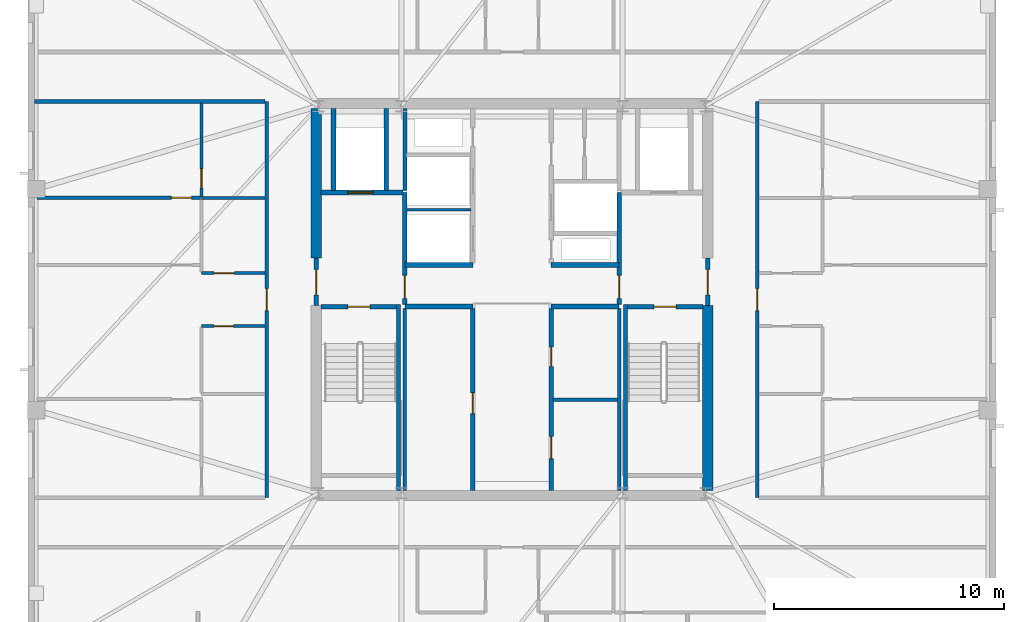
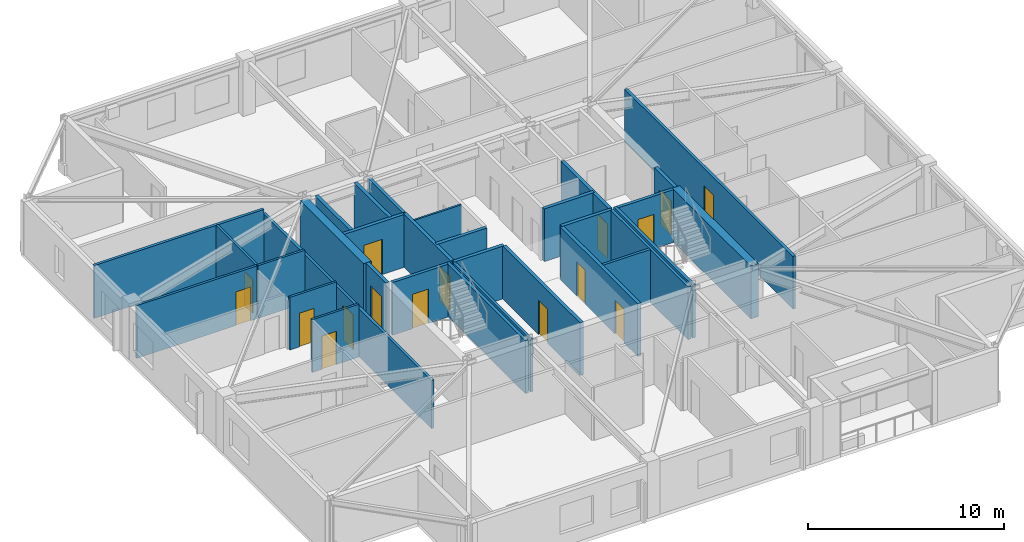
# One storey, part 8 of 15: 32 walls, 16 doors, 16 openings.
"""IFC4 building model written with IfcOpenShell, lengths in metres."""

import ifcopenshell
import ifcopenshell.guid

model = None  # the IFC model being written
_history = None  # IfcOwnerHistory: only IFC2X3 demands one
_inside = {}  # id of a spatial element -> (the spatial element, [elements in it])
_under = {}  # id of a project, library or spatial element -> (it, [spatial elements below it])
_declared = {}  # id of a project -> (the project, [libraries it declares])
_typed = {}  # id of a type object -> (the type object, [elements of that type])
_made_of = {}  # id of a material, layer set ... -> (it, [elements and type objects made of it])


def new_model(schema):
    """Start an empty IFC model of exactly this schema.

    Asked for "IFC4X3", IfcOpenShell would pick the latest addendum, in which some entities
    have other attributes; the version numbers below select the first issue.
    IFC2X3 requires an IfcOwnerHistory on every rooted entity: one is made here for all.
    """
    global model, _history
    if schema == "IFC4X3":
        model = ifcopenshell.file(schema_version=(4, 3, 0, 0))
    else:
        model = ifcopenshell.file(schema=schema)
    _inside.clear()
    _under.clear()
    _declared.clear()
    _typed.clear()
    _made_of.clear()
    _history = None
    if model.schema == "IFC2X3":
        org = make("IfcOrganization", Name="unknown")
        user = make(
            "IfcPersonAndOrganization",
            ThePerson=make("IfcPerson", FamilyName="unknown"),
            TheOrganization=org,
        )
        app = make(
            "IfcApplication",
            ApplicationDeveloper=org,
            Version="unknown",
            ApplicationFullName="unknown",
            ApplicationIdentifier="unknown",
        )
        _history = make(
            "IfcOwnerHistory",
            OwningUser=user,
            OwningApplication=app,
            ChangeAction="ADDED",
            CreationDate=0,
        )
    return model


def make(cls, **values):
    """One entity of the class cls with the attributes given. An attribute that is None is left unset."""
    return model.create_entity(
        cls, **{name: value for name, value in values.items() if value is not None}
    )


def rooted(cls, **values):
    """An entity with a GlobalId (a new one), such as an element, a storey or a relation."""
    return make(cls, GlobalId=ifcopenshell.guid.new(), OwnerHistory=_history, **values)


def si_unit(unit_type, name, prefix=None):
    """IfcSIUnit, for example si_unit("LENGTHUNIT", "METRE", prefix="MILLI")."""
    return make("IfcSIUnit", UnitType=unit_type, Prefix=prefix, Name=name)


def assignment(units):
    """IfcUnitAssignment: the units of a project."""
    return None if units is None else make("IfcUnitAssignment", Units=units)


def point(xyz):
    """IfcCartesianPoint."""
    return None if xyz is None else make("IfcCartesianPoint", Coordinates=xyz)


def direction(xyz):
    """IfcDirection."""
    return None if xyz is None else make("IfcDirection", DirectionRatios=xyz)


def frame(location, z_axis=None, x_axis=None):
    """IfcAxis2Placement3D, a coordinate frame: its origin and axes. An axis left out is left unset."""
    return make(
        "IfcAxis2Placement3D",
        Location=point(location),
        Axis=direction(z_axis),
        RefDirection=direction(x_axis),
    )


def frame_2d(location, x_axis=None):
    """IfcAxis2Placement2D, a coordinate frame in the plane: its origin and x axis."""
    return make(
        "IfcAxis2Placement2D", Location=point(location), RefDirection=direction(x_axis)
    )


def origin():
    """The frame at (0, 0, 0) with its axes left unset."""
    return frame((0.0, 0.0, 0.0))


def place(relative_to, where):
    """IfcLocalPlacement: puts the frame where relative to a parent placement (None: the world)."""
    return make(
        "IfcLocalPlacement", PlacementRelTo=relative_to, RelativePlacement=where
    )


def context(
    kind, dimensions, precision=None, world=None, true_north=None, identifier=None
):
    """IfcGeometricRepresentationContext, for example the 3D "Model" context."""
    return make(
        "IfcGeometricRepresentationContext",
        ContextIdentifier=identifier,
        ContextType=kind,
        CoordinateSpaceDimension=dimensions,
        Precision=precision,
        WorldCoordinateSystem=world,
        TrueNorth=true_north,
    )


def subcontext(parent, identifier, kind, view, scale=None):
    """IfcGeometricRepresentationSubContext, for example "Body" below "Model"."""
    return make(
        "IfcGeometricRepresentationSubContext",
        ContextIdentifier=identifier,
        ContextType=kind,
        ParentContext=parent,
        TargetScale=scale,
        TargetView=view,
    )


def project(units=None, contexts=None):
    """IfcProject with its units and contexts."""
    return rooted(
        "IfcProject",
        Name="project",
        RepresentationContexts=contexts,
        UnitsInContext=assignment(units),
    )


def spatial(cls, under=None, at=None, **own):
    """A site, building, storey or space (cls), placed at a placement, below another one or the project."""
    s = rooted(cls, ObjectPlacement=at, **own)
    if under is not None:
        _under.setdefault(under.id(), (under, []))[1].append(s)
    return s


def profile(cls, at=None, kind="AREA", **sizes):
    """A parametric profile (cls). Its sizes go by their IFC names, for example OverallWidth=200.0."""
    return make(cls, ProfileType=kind, Position=at, **sizes)


def rectangle(**sizes):
    """IfcRectangleProfileDef."""
    return profile("IfcRectangleProfileDef", **sizes)


def extrude(swept, where, along, depth):
    """IfcExtrudedAreaSolid: the profile swept, set in the frame where, extruded along a direction by depth."""
    return make(
        "IfcExtrudedAreaSolid",
        SweptArea=swept,
        Position=where,
        ExtrudedDirection=direction(along),
        Depth=depth,
    )


def shape(context_of_items, identifier, shape_type, items):
    """IfcShapeRepresentation: the items that make up one representation, for example the "Body"."""
    return make(
        "IfcShapeRepresentation",
        ContextOfItems=context_of_items,
        RepresentationIdentifier=identifier,
        RepresentationType=shape_type,
        Items=items,
    )


def material(Name=None, Category=None):
    """IfcMaterial."""
    return make("IfcMaterial", Name=Name, Category=Category)


def layer(
    of_material, thickness, ventilated=None, Name=None, Category=None, Priority=None
):
    """IfcMaterialLayer: one layer of a wall or slab, of a material (None: an air gap)."""
    return make(
        "IfcMaterialLayer",
        Material=of_material,
        LayerThickness=thickness,
        IsVentilated=ventilated,
        Name=Name,
        Category=Category,
        Priority=Priority,
    )


def layer_set(layers, Name=None):
    """IfcMaterialLayerSet."""
    return make("IfcMaterialLayerSet", MaterialLayers=layers, LayerSetName=Name)


def made_of(thing, what):
    """Note that an element or type object is made of a material, layer set ...; save() writes the relation."""
    if what is not None:
        _made_of.setdefault(what.id(), (what, []))[1].append(thing)
    return thing


def type_object(cls, material=None, **own):
    """A type object (cls), such as IfcWallType, which elements share."""
    return made_of(rooted(cls, **own), material)


def element(
    cls,
    number,
    at=None,
    inside=None,
    cuts=None,
    type_object=None,
    material=None,
    context=None,
    identifier="Body",
    shape_type=None,
    held_by="IfcProductDefinitionShape",
    body=None,
    shapes=None,
    **own,
):
    """One element of the class cls, such as IfcWall. Its Tag is "e" and its number.

    at: its placement. inside: the storey or other place that contains it. cuts: it is an
    opening in that element (IfcRelVoidsElement). A single representation is given by context,
    identifier, shape_type and body (its items); several are given by shapes. held_by: the class
    of the entity that holds the representations. save() writes the other relations.
    """
    e = rooted(cls, Tag="e%d" % number, ObjectPlacement=at, **own)
    if body is not None:
        shapes = [shape(context, identifier, shape_type, body)]
    if shapes is not None:
        e.Representation = make(held_by, Representations=shapes)
    if inside is not None:
        _inside.setdefault(inside.id(), (inside, []))[1].append(e)
    if cuts is not None:
        rooted(
            "IfcRelVoidsElement", RelatingBuildingElement=cuts, RelatedOpeningElement=e
        )
    if type_object is not None:
        _typed.setdefault(type_object.id(), (type_object, []))[1].append(e)
    return made_of(e, material)


def fill(opening, filler):
    """IfcRelFillsElement: the door or window that sits in an opening."""
    return rooted(
        "IfcRelFillsElement",
        RelatingOpeningElement=opening,
        RelatedBuildingElement=filler,
    )


def aggregate(whole, parts):
    """IfcRelAggregates: a whole, such as a stair, and the parts it consists of."""
    return rooted("IfcRelAggregates", RelatingObject=whole, RelatedObjects=parts)


def save(model, path):
    """Write the relations noted so far, then the file.

    IfcRelAggregates (storeys below a building ...), IfcRelContainedInSpatialStructure (elements
    in a storey), IfcRelDefinesByType, IfcRelAssociatesMaterial and IfcRelDeclares: one each for
    every whole, place, type object, material and project.
    """
    for whole, parts in _under.values():
        aggregate(whole, parts)
    for where, things in _inside.values():
        rooted(
            "IfcRelContainedInSpatialStructure",
            RelatedElements=things,
            RelatingStructure=where,
        )
    for kind, things in _typed.values():
        rooted("IfcRelDefinesByType", RelatedObjects=things, RelatingType=kind)
    for what, things in _made_of.values():
        rooted("IfcRelAssociatesMaterial", RelatedObjects=things, RelatingMaterial=what)
    for by, libraries in _declared.values():
        rooted("IfcRelDeclares", RelatingContext=by, RelatedDefinitions=libraries)
    model.write(path)


model = new_model("IFC4")

# Units and contexts
model_context = context("Model", 3, precision=1e-05, world=origin(), true_north=direction((0.0, 1.0)))
body_context = subcontext(model_context, "Body", "Model", "MODEL_VIEW")
ifc_project = project(units=[si_unit("LENGTHUNIT", "METRE"), si_unit("AREAUNIT", "SQUARE_METRE"), si_unit("VOLUMEUNIT", "CUBIC_METRE"), si_unit("PLANEANGLEUNIT", "RADIAN"), si_unit("MASSUNIT", "GRAM", prefix="KILO")], contexts=[model_context])

# Site, building, storey
site_placement = place(None, origin())
site = spatial("IfcSite", under=ifc_project, at=site_placement, CompositionType="ELEMENT")
building_placement = place(site_placement, origin())
building = spatial("IfcBuilding", under=site, at=building_placement, Name="Cairnveth Concourse Tower", CompositionType="ELEMENT")
storey_placement = place(building_placement, frame((0.0, 0.0, 284.0)))
storey = spatial("IfcBuildingStorey", under=building, at=storey_placement, Name="L78", CompositionType="ELEMENT", Elevation=284.0)

# Walls
ifc_material_1 = material(Name="Gypsum Plasterboard Partition", Category="gypsum")
ifc_layer_1 = layer(ifc_material_1, 0.159912109375)
ifc_layer_set_1 = layer_set([ifc_layer_1], Name="Gypsum Plasterboard Partition")
wall_type_1 = type_object("IfcWallType", Name="ACOUSTIC PARTY WALL 180", PredefinedType="PARTITIONING", material=ifc_layer_set_1)
for number, where, z_axis, x_axis, name in (
    (1, (47.35009765625, 30.7099609375, 0.0), (0.0, 0.0, 1.0), (0.0, 1.0, 0.0), "Interior Wall IW-L78-025"),
    (2, (56.64990234375, 30.7099609375, 0.0), (0.0, 0.0, 1.0), (0.0, 1.0, 0.0), "Interior Wall IW-L78-026"),
):
    element("IfcWall", number, at=place(storey_placement, frame(where, z_axis=z_axis, x_axis=x_axis)), inside=storey, type_object=wall_type_1, Name=name, PredefinedType="PARTITIONING", context=body_context, shape_type="SweptSolid", body=[
        extrude(rectangle(XDim=7.905029296875, YDim=0.159912109375, at=frame_2d((3.95263671875, 0.0))), origin(), (0.0, 0.0, 1.0), 3.2900390625),
    ])
wall_1_placement = place(storey_placement, frame((53.784912109375, 34.64990234375, 0.0), z_axis=(0.0, 0.0, 1.0), x_axis=(1.0, 0.0, 0.0)))
element("IfcWall", 3, at=wall_1_placement, inside=storey, type_object=wall_type_1, Name="Interior Wall IW-L78-027", PredefinedType="PARTITIONING", context=body_context, shape_type="SweptSolid", body=[
    extrude(rectangle(XDim=2.800048828125, YDim=0.159912109375, at=frame_2d((1.39990234375, 0.0))), origin(), (0.0, 0.0, 1.0), 3.2900390625),
])

# Wall, opening, door
wall_2_placement = place(storey_placement, frame((41.35009765625, 30.39990234375, 0.0), z_axis=(0.0, 0.0, 1.0), x_axis=(0.0, 1.0, 0.0)))
wall_2 = element("IfcWall", 4, at=wall_2_placement, inside=storey, type_object=wall_type_1, Name="Interior Wall IW-L78-037", PredefinedType="PARTITIONING", context=body_context, shape_type="SweptSolid", body=[
    extrude(rectangle(XDim=17.2001953125, YDim=0.159912109375, at=frame_2d((8.60009765625, 0.0))), origin(), (0.0, 0.0, 1.0), 3.009033203125),
])
opening_1_placement = place(wall_2_placement, frame((8.1201171875, 0.0, 0.0)))
opening_1 = element("IfcOpeningElement", 5, at=opening_1_placement, cuts=wall_2, Name="Opening ID10", PredefinedType="OPENING", context=body_context, shape_type="SweptSolid", body=[
    extrude(rectangle(XDim=0.9599609375, YDim=2.179931640625, at=frame_2d((0.47998046875, 1.08984375))), frame((0.0, 0.08984375, 0.0), z_axis=(0.0, -1.0, 0.0), x_axis=(1.0, 0.0, 0.0)), (0.0, 0.0, 1.0), 0.179931640625),
])
ifc_material_2 = material(Name="Solid Core Hardwood Timber Leaf", Category="wood")
door_type_1 = type_object("IfcDoorType", Name="FLAT ENTRANCE DOOR 960X2150", OperationType="NOTDEFINED", PredefinedType="DOOR", material=ifc_material_2)
door_1_placement = place(opening_1_placement, origin())
door_1 = element("IfcDoor", 6, at=door_1_placement, inside=storey, type_object=door_type_1, Name="Penthouse L78PW1 Entrance Door", OperationType="SINGLE_SWING_RIGHT", OverallHeight=2.179931640625, OverallWidth=0.9599609375, PredefinedType="DOOR", context=body_context, shape_type="SweptSolid", body=[
    extrude(rectangle(XDim=0.9599609375, YDim=2.179931640625, at=frame_2d((0.47998046875, 1.08984375))), frame((0.0, 0.02490234375, 0.0), z_axis=(0.0, -1.0, 0.0), x_axis=(1.0, 0.0, 0.0)), (0.0, 0.0, 1.0), 0.050048828125),
])
fill(opening_1, door_1)

wall_3_placement = place(storey_placement, frame((62.64990234375, 30.39990234375, 0.0), z_axis=(0.0, 0.0, 1.0), x_axis=(0.0, 1.0, 0.0)))
wall_3 = element("IfcWall", 7, at=wall_3_placement, inside=storey, type_object=wall_type_1, Name="Interior Wall IW-L78-038", PredefinedType="PARTITIONING", context=body_context, shape_type="SweptSolid", body=[
    extrude(rectangle(XDim=17.2001953125, YDim=0.159912109375, at=frame_2d((8.60009765625, 0.0))), origin(), (0.0, 0.0, 1.0), 3.2900390625),
])
opening_2_placement = place(wall_3_placement, frame((8.1201171875, 0.0, 0.0)))
opening_2 = element("IfcOpeningElement", 8, at=opening_2_placement, cuts=wall_3, Name="Opening ID10", PredefinedType="OPENING", context=body_context, shape_type="SweptSolid", body=[
    extrude(rectangle(XDim=0.9599609375, YDim=2.179931640625, at=frame_2d((0.47998046875, 1.08984375))), frame((0.0, 0.08984375, 0.0), z_axis=(0.0, -1.0, 0.0), x_axis=(1.0, 0.0, 0.0)), (0.0, 0.0, 1.0), 0.179931640625),
])
door_2_placement = place(opening_2_placement, origin())
door_2 = element("IfcDoor", 9, at=door_2_placement, inside=storey, type_object=door_type_1, Name="Penthouse L78PE1 Entrance Door", OperationType="SINGLE_SWING_RIGHT", OverallHeight=2.179931640625, OverallWidth=0.9599609375, PredefinedType="DOOR", context=body_context, shape_type="SweptSolid", body=[
    extrude(rectangle(XDim=0.9599609375, YDim=2.179931640625, at=frame_2d((0.47998046875, 1.08984375))), frame((0.0, 0.02490234375, 0.0), z_axis=(0.0, -1.0, 0.0), x_axis=(1.0, 0.0, 0.0)), (0.0, 0.0, 1.0), 0.050048828125),
])
fill(opening_2, door_2)

# Walls
wall_4_placement = place(storey_placement, frame((31.284912109375, 47.60009765625, 0.0), z_axis=(0.0, 0.0, 1.0), x_axis=(1.0, 0.0, 0.0)))
element("IfcWall", 10, at=wall_4_placement, inside=storey, type_object=wall_type_1, Name="Interior Wall IW-L78-040", PredefinedType="PARTITIONING", context=body_context, shape_type="SweptSolid", body=[
    extrude(rectangle(XDim=10.0, YDim=0.159912109375, at=frame_2d((5.0, 0.0))), origin(), (0.0, 0.0, 1.0), 3.2900390625),
])
ifc_material_3 = material(Name="Concrete N65 (65 MPa)", Category="concrete")
ifc_layer_2 = layer(ifc_material_3, 0.449951171875)
ifc_layer_set_2 = layer_set([ifc_layer_2], Name="Concrete N65 (65 MPa)")
wall_type_2 = type_object("IfcWallType", Name="CORE SHEAR WALL 450", PredefinedType="SHEAR", material=ifc_layer_set_2)
wall_5_placement = place(storey_placement, frame((43.5, 40.800048828125, 0.0), z_axis=(0.0, 0.0, 1.0), x_axis=(0.0, 1.0, 0.0)))
element("IfcWall", 11, at=wall_5_placement, inside=storey, type_object=wall_type_2, Name="Core West Shear Wall N L78", PredefinedType="SHEAR", context=body_context, shape_type="SweptSolid", body=[
    extrude(rectangle(XDim=6.48486328125, YDim=0.449951171875, at=frame_2d((3.242431640625, 0.0))), origin(), (0.0, 0.0, 1.0), 3.2900390625),
])
wall_6_placement = place(storey_placement, frame((60.5, 30.715087890625, 0.0), z_axis=(0.0, 0.0, 1.0), x_axis=(0.0, 1.0, 0.0)))
element("IfcWall", 12, at=wall_6_placement, inside=storey, type_object=wall_type_2, Name="Core East Shear Wall S L78", PredefinedType="SHEAR", context=body_context, shape_type="SweptSolid", body=[
    extrude(rectangle(XDim=8.034912109375, YDim=0.449951171875, at=frame_2d((4.017578125, 0.0))), origin(), (0.0, 0.0, 1.0), 3.2900390625),
])
ifc_material_4 = material(Name="Concrete N50 (50 MPa)", Category="concrete")
ifc_layer_3 = layer(ifc_material_4, 0.179931640625)
ifc_layer_set_3 = layer_set([ifc_layer_3], Name="Concrete N50 (50 MPa)")
wall_type_3 = type_object("IfcWallType", Name="FIRE SHAFT WALL 180", PredefinedType="SOLIDWALL", material=ifc_layer_set_3)
wall_7_placement = place(storey_placement, frame((47.35009765625, 43.735107421875, 0.0), z_axis=(0.0, 0.0, 1.0), x_axis=(0.0, 1.0, 0.0)))
element("IfcWall", 13, at=wall_7_placement, inside=storey, type_object=wall_type_3, Name="Interior Wall IW-L78-028", PredefinedType="SOLIDWALL", context=body_context, shape_type="SweptSolid", body=[
    extrude(rectangle(XDim=3.554931640625, YDim=0.179931640625, at=frame_2d((1.77734375, 0.0))), origin(), (0.0, 0.0, 1.0), 3.2900390625),
])

# Wall, opening, door
wall_8_placement = place(storey_placement, frame((43.715087890625, 38.68994140625, 0.0), z_axis=(0.0, 0.0, 1.0), x_axis=(1.0, 0.0, 0.0)))
wall_8 = element("IfcWall", 14, at=wall_8_placement, inside=storey, type_object=wall_type_3, Name="Stair ST-1 Shaft Wall NEAR L78", PredefinedType="SOLIDWALL", context=body_context, shape_type="SweptSolid", body=[
    extrude(rectangle(XDim=3.280029296875, YDim=0.179931640625, at=frame_2d((1.64013671875, 0.0))), origin(), (0.0, 0.0, 1.0), 3.2900390625),
])
opening_3_placement = place(wall_8_placement, frame((1.1650390625, 0.0, 0.0)))
opening_3 = element("IfcOpeningElement", 15, at=opening_3_placement, cuts=wall_8, Name="Opening ID12", PredefinedType="OPENING", context=body_context, shape_type="SweptSolid", body=[
    extrude(rectangle(XDim=0.949951171875, YDim=2.14990234375, at=frame_2d((0.47509765625, 1.074951171875))), frame((0.0, 0.099853515625, 0.0), z_axis=(0.0, -1.0, 0.0), x_axis=(1.0, 0.0, 0.0)), (0.0, 0.0, 1.0), 0.199951171875),
])
ifc_material_5 = material(Name="Steel Grade 350", Category="steel")
door_type_2 = type_object("IfcDoorType", Name="FIRE STAIR DOOR 950X2150", OperationType="NOTDEFINED", PredefinedType="DOOR", material=ifc_material_5)
door_3_placement = place(opening_3_placement, origin())
door_3 = element("IfcDoor", 16, at=door_3_placement, inside=storey, type_object=door_type_2, Name="Stair ST-1 Fire Door L78", OperationType="SINGLE_SWING_LEFT", OverallHeight=2.14990234375, OverallWidth=0.949951171875, PredefinedType="DOOR", context=body_context, shape_type="SweptSolid", body=[
    extrude(rectangle(XDim=0.949951171875, YDim=2.14990234375, at=frame_2d((0.47509765625, 1.074951171875))), frame((0.0, 0.02490234375, 0.0), z_axis=(0.0, -1.0, 0.0), x_axis=(1.0, 0.0, 0.0)), (0.0, 0.0, 1.0), 0.050048828125),
])
fill(opening_3, door_3)

# Wall
wall_9_placement = place(storey_placement, frame((47.070068359375, 38.780029296875, 0.0), z_axis=(0.0, 0.0, 1.0), x_axis=(0.0, -1.0, 0.0)))
element("IfcWall", 17, at=wall_9_placement, inside=storey, type_object=wall_type_3, Name="Stair ST-1 Shaft Wall RGHT L78", PredefinedType="SOLIDWALL", context=body_context, shape_type="SweptSolid", body=[
    extrude(rectangle(XDim=8.067138671875, YDim=0.179931640625, at=frame_2d((4.03369140625, 0.0))), origin(), (0.0, 0.0, 1.0), 3.2900390625),
])

# Wall, opening, door
wall_10_placement = place(storey_placement, frame((57.0048828125, 38.68994140625, 0.0), z_axis=(0.0, 0.0, 1.0), x_axis=(1.0, 0.0, 0.0)))
wall_10 = element("IfcWall", 18, at=wall_10_placement, inside=storey, type_object=wall_type_3, Name="Stair ST-2 Shaft Wall NEAR L78", PredefinedType="SOLIDWALL", context=body_context, shape_type="SweptSolid", body=[
    extrude(rectangle(XDim=3.280029296875, YDim=0.179931640625, at=frame_2d((1.64013671875, 0.0))), origin(), (0.0, 0.0, 1.0), 3.2900390625),
])
opening_4_placement = place(wall_10_placement, frame((1.1650390625, 0.0, 0.0)))
opening_4 = element("IfcOpeningElement", 19, at=opening_4_placement, cuts=wall_10, Name="Opening ID12", PredefinedType="OPENING", context=body_context, shape_type="SweptSolid", body=[
    extrude(rectangle(XDim=0.949951171875, YDim=2.14990234375, at=frame_2d((0.47509765625, 1.074951171875))), frame((0.0, 0.099853515625, 0.0), z_axis=(0.0, -1.0, 0.0), x_axis=(1.0, 0.0, 0.0)), (0.0, 0.0, 1.0), 0.199951171875),
])
door_4_placement = place(opening_4_placement, origin())
door_4 = element("IfcDoor", 20, at=door_4_placement, inside=storey, type_object=door_type_2, Name="Stair ST-2 Fire Door L78", OperationType="SINGLE_SWING_RIGHT", OverallHeight=2.14990234375, OverallWidth=0.949951171875, PredefinedType="DOOR", context=body_context, shape_type="SweptSolid", body=[
    extrude(rectangle(XDim=0.949951171875, YDim=2.14990234375, at=frame_2d((0.47509765625, 1.074951171875))), frame((0.0, 0.02490234375, 0.0), z_axis=(0.0, -1.0, 0.0), x_axis=(1.0, 0.0, 0.0)), (0.0, 0.0, 1.0), 0.050048828125),
])
fill(opening_4, door_4)

# Walls
wall_11_placement = place(storey_placement, frame((56.929931640625, 38.780029296875, 0.0), z_axis=(0.0, 0.0, 1.0), x_axis=(0.0, -1.0, 0.0)))
element("IfcWall", 21, at=wall_11_placement, inside=storey, type_object=wall_type_3, Name="Stair ST-2 Shaft Wall LEFT L78", PredefinedType="SOLIDWALL", context=body_context, shape_type="SweptSolid", body=[
    extrude(rectangle(XDim=8.067138671875, YDim=0.179931640625, at=frame_2d((4.03369140625, 0.0))), origin(), (0.0, 0.0, 1.0), 3.2900390625),
])
ifc_layer_4 = layer(ifc_material_4, 0.199951171875)
ifc_layer_set_4 = layer_set([ifc_layer_4], Name="Concrete N50 (50 MPa)")
wall_type_4 = type_object("IfcWallType", Name="FIRE SHAFT WALL 200", PredefinedType="SOLIDWALL", material=ifc_layer_set_4)
for number, where, z_axis, x_axis, name in (
    (22, (47.35009765625, 38.699951171875, 0.0), (0.0, 0.0, 1.0), (1.0, 0.0, 0.0), "Interior Wall IW-L78-007"),
    (23, (47.35009765625, 40.5, 0.0), (0.0, 0.0, 1.0), (1.0, 0.0, 0.0), "Interior Wall IW-L78-008"),
    (24, (53.699951171875, 38.699951171875, 0.0), (0.0, 0.0, 1.0), (1.0, 0.0, 0.0), "Interior Wall IW-L78-009"),
    (25, (53.699951171875, 40.5, 0.0), (0.0, 0.0, 1.0), (1.0, 0.0, 0.0), "Interior Wall IW-L78-010"),
):
    element("IfcWall", number, at=place(storey_placement, frame(where, z_axis=z_axis, x_axis=x_axis)), inside=storey, type_object=wall_type_4, Name=name, PredefinedType="SOLIDWALL", context=body_context, shape_type="SweptSolid", body=[
        extrude(rectangle(XDim=2.949951171875, YDim=0.199951171875, at=frame_2d((1.47509765625, 0.0))), origin(), (0.0, 0.0, 1.0), 3.2900390625),
    ])

# Wall, opening, door
wall_12_placement = place(storey_placement, frame((50.300048828125, 30.7099609375, 0.0), z_axis=(0.0, 0.0, 1.0), x_axis=(0.0, 1.0, 0.0)))
wall_12 = element("IfcWall", 26, at=wall_12_placement, inside=storey, type_object=wall_type_4, Name="Interior Wall IW-L78-011", PredefinedType="SOLIDWALL", context=body_context, shape_type="SweptSolid", body=[
    extrude(rectangle(XDim=7.905029296875, YDim=0.199951171875, at=frame_2d((3.95263671875, 0.0))), origin(), (0.0, 0.0, 1.0), 3.2900390625),
])
opening_5_placement = place(wall_12_placement, frame((3.340087890625, 0.0, 0.0)))
opening_5 = element("IfcOpeningElement", 27, at=opening_5_placement, cuts=wall_12, Name="Opening ID16", PredefinedType="OPENING", context=body_context, shape_type="SweptSolid", body=[
    extrude(rectangle(XDim=0.89990234375, YDim=2.1201171875, at=frame_2d((0.449951171875, 1.06005859375))), frame((0.0, 0.10986328125, 0.0), z_axis=(0.0, -1.0, 0.0), x_axis=(1.0, 0.0, 0.0)), (0.0, 0.0, 1.0), 0.219970703125),
])
door_type_3 = type_object("IfcDoorType", Name="CORE SERVICE DOOR 900X2100", OperationType="NOTDEFINED", PredefinedType="DOOR", material=ifc_material_5)
door_5_placement = place(opening_5_placement, origin())
door_5 = element("IfcDoor", 28, at=door_5_placement, inside=storey, type_object=door_type_3, Name="Linen Pantry Suite Door L78", OperationType="SINGLE_SWING_LEFT", OverallHeight=2.1201171875, OverallWidth=0.89990234375, PredefinedType="DOOR", context=body_context, shape_type="SweptSolid", body=[
    extrude(rectangle(XDim=0.89990234375, YDim=2.1201171875, at=frame_2d((0.449951171875, 1.06005859375))), frame((0.0, 0.02490234375, 0.0), z_axis=(0.0, -1.0, 0.0), x_axis=(1.0, 0.0, 0.0)), (0.0, 0.0, 1.0), 0.050048828125),
])
fill(opening_5, door_5)

# Wall, openings, doors
wall_13_placement = place(storey_placement, frame((53.699951171875, 30.7099609375, 0.0), z_axis=(0.0, 0.0, 1.0), x_axis=(0.0, 1.0, 0.0)))
wall_13 = element("IfcWall", 29, at=wall_13_placement, inside=storey, type_object=wall_type_4, Name="Interior Wall IW-L78-012", PredefinedType="SOLIDWALL", context=body_context, shape_type="SweptSolid", body=[
    extrude(rectangle(XDim=7.905029296875, YDim=0.199951171875, at=frame_2d((3.95263671875, 0.0))), origin(), (0.0, 0.0, 1.0), 3.2900390625),
])
opening_6_placement = place(wall_13_placement, frame((1.389892578125, 0.0, 0.0)))
opening_6 = element("IfcOpeningElement", 30, at=opening_6_placement, cuts=wall_13, Name="Opening ID25", PredefinedType="OPENING", context=body_context, shape_type="SweptSolid", body=[
    extrude(rectangle(XDim=0.949951171875, YDim=2.1201171875, at=frame_2d((0.47509765625, 1.06005859375))), frame((0.0, 0.10986328125, 0.0), z_axis=(0.0, -1.0, 0.0), x_axis=(1.0, 0.0, 0.0)), (0.0, 0.0, 1.0), 0.219970703125),
])
opening_7_placement = place(wall_13_placement, frame((5.389892578125, 0.0, 0.0)))
opening_7 = element("IfcOpeningElement", 31, at=opening_7_placement, cuts=wall_13, Name="Opening ID19", PredefinedType="OPENING", context=body_context, shape_type="SweptSolid", body=[
    extrude(rectangle(XDim=0.85009765625, YDim=2.1201171875, at=frame_2d((0.425048828125, 1.06005859375))), frame((0.0, 0.10986328125, 0.0), z_axis=(0.0, -1.0, 0.0), x_axis=(1.0, 0.0, 0.0)), (0.0, 0.0, 1.0), 0.219970703125),
])
door_type_4 = type_object("IfcDoorType", Name="CORE ACCESSIBLE FIRE DOOR 950X2120", OperationType="NOTDEFINED", PredefinedType="DOOR", material=ifc_material_5)
door_6_placement = place(opening_6_placement, origin())
door_6 = element("IfcDoor", 32, at=door_6_placement, inside=storey, type_object=door_type_4, Name="Sky WC Door L78", OperationType="SINGLE_SWING_RIGHT", OverallHeight=2.1201171875, OverallWidth=0.949951171875, PredefinedType="DOOR", context=body_context, shape_type="SweptSolid", body=[
    extrude(rectangle(XDim=0.949951171875, YDim=2.1201171875, at=frame_2d((0.47509765625, 1.06005859375))), frame((0.0, 0.02490234375, 0.0), z_axis=(0.0, -1.0, 0.0), x_axis=(1.0, 0.0, 0.0)), (0.0, 0.0, 1.0), 0.050048828125),
])
fill(opening_6, door_6)
door_type_5 = type_object("IfcDoorType", Name="CORE SERVICE DOOR 850X2100", OperationType="NOTDEFINED", PredefinedType="DOOR", material=ifc_material_5)
door_7_placement = place(opening_7_placement, origin())
door_7 = element("IfcDoor", 33, at=door_7_placement, inside=storey, type_object=door_type_5, Name="Janitor Door L78", OperationType="SINGLE_SWING_LEFT", OverallHeight=2.1201171875, OverallWidth=0.85009765625, PredefinedType="DOOR", context=body_context, shape_type="SweptSolid", body=[
    extrude(rectangle(XDim=0.85009765625, YDim=2.1201171875, at=frame_2d((0.425048828125, 1.06005859375))), frame((0.0, 0.02490234375, 0.0), z_axis=(0.0, -1.0, 0.0), x_axis=(1.0, 0.0, 0.0)), (0.0, 0.0, 1.0), 0.050048828125),
])
fill(opening_7, door_7)

# Wall, opening, door
wall_14_placement = place(storey_placement, frame((43.5, 38.75, 0.0), z_axis=(0.0, 0.0, 1.0), x_axis=(0.0, 1.0, 0.0)))
wall_14 = element("IfcWall", 34, at=wall_14_placement, inside=storey, type_object=wall_type_4, Name="Interior Wall IW-L78-015", PredefinedType="SOLIDWALL", context=body_context, shape_type="SweptSolid", body=[
    extrude(rectangle(XDim=2.050048828125, YDim=0.199951171875, at=frame_2d((1.02490234375, 0.0))), origin(), (0.0, 0.0, 1.0), 3.2900390625),
])
opening_8_placement = place(wall_14_placement, frame((0.449951171875, 0.0, 0.0)))
opening_8 = element("IfcOpeningElement", 35, at=opening_8_placement, cuts=wall_14, Name="Opening ID06", PredefinedType="OPENING", context=body_context, shape_type="SweptSolid", body=[
    extrude(rectangle(XDim=1.10009765625, YDim=2.14990234375, at=frame_2d((0.550048828125, 1.074951171875))), frame((0.0, 0.10986328125, 0.0), z_axis=(0.0, -1.0, 0.0), x_axis=(1.0, 0.0, 0.0)), (0.0, 0.0, 1.0), 0.219970703125),
])
door_type_6 = type_object("IfcDoorType", Name="FIRE CORRIDOR DOOR 1100X2150", OperationType="NOTDEFINED", PredefinedType="DOOR", material=ifc_material_5)
door_8_placement = place(opening_8_placement, origin())
door_8 = element("IfcDoor", 36, at=door_8_placement, inside=storey, type_object=door_type_6, Name="West Wing to FF Lobby Door L78", OperationType="SINGLE_SWING_LEFT", OverallHeight=2.14990234375, OverallWidth=1.10009765625, PredefinedType="DOOR", context=body_context, shape_type="SweptSolid", body=[
    extrude(rectangle(XDim=1.10009765625, YDim=2.14990234375, at=frame_2d((0.550048828125, 1.074951171875))), frame((0.0, 0.02490234375, 0.0), z_axis=(0.0, -1.0, 0.0), x_axis=(1.0, 0.0, 0.0)), (0.0, 0.0, 1.0), 0.050048828125),
])
fill(opening_8, door_8)

wall_15_placement = place(storey_placement, frame((47.35009765625, 38.784912109375, 0.0), z_axis=(0.0, 0.0, 1.0), x_axis=(0.0, 1.0, 0.0)))
wall_15 = element("IfcWall", 37, at=wall_15_placement, inside=storey, type_object=wall_type_4, Name="Interior Wall IW-L78-016", PredefinedType="SOLIDWALL", context=body_context, shape_type="SweptSolid", body=[
    extrude(rectangle(XDim=4.864990234375, YDim=0.199951171875, at=frame_2d((2.4326171875, 0.0))), origin(), (0.0, 0.0, 1.0), 3.2900390625),
])
opening_9_placement = place(wall_15_placement, frame((0.264892578125, 0.0, 0.0)))
opening_9 = element("IfcOpeningElement", 38, at=opening_9_placement, cuts=wall_15, Name="Opening ID07", PredefinedType="OPENING", context=body_context, shape_type="SweptSolid", body=[
    extrude(rectangle(XDim=1.0, YDim=2.14990234375, at=frame_2d((0.5, 1.074951171875))), frame((0.0, 0.10986328125, 0.0), z_axis=(0.0, -1.0, 0.0), x_axis=(1.0, 0.0, 0.0)), (0.0, 0.0, 1.0), 0.219970703125),
])
door_type_7 = type_object("IfcDoorType", Name="FIRE CORRIDOR DOOR 1000X2150", OperationType="NOTDEFINED", PredefinedType="DOOR", material=ifc_material_5)
door_9_placement = place(opening_9_placement, origin())
door_9 = element("IfcDoor", 39, at=door_9_placement, inside=storey, type_object=door_type_7, Name="FF Lobby West to Lift Lobby Door L78", OperationType="SINGLE_SWING_RIGHT", OverallHeight=2.14990234375, OverallWidth=1.0, PredefinedType="DOOR", context=body_context, shape_type="SweptSolid", body=[
    extrude(rectangle(XDim=1.0, YDim=2.14990234375, at=frame_2d((0.5, 1.074951171875))), frame((0.0, 0.02490234375, 0.0), z_axis=(0.0, -1.0, 0.0), x_axis=(1.0, 0.0, 0.0)), (0.0, 0.0, 1.0), 0.050048828125),
])
fill(opening_9, door_9)

wall_16_placement = place(storey_placement, frame((43.7099609375, 43.64990234375, 0.0), z_axis=(0.0, 0.0, 1.0), x_axis=(1.0, 0.0, 0.0)))
wall_16 = element("IfcWall", 40, at=wall_16_placement, inside=storey, type_object=wall_type_4, Name="Interior Wall IW-L78-017", PredefinedType="SOLIDWALL", context=body_context, shape_type="SweptSolid", body=[
    extrude(rectangle(XDim=3.554931640625, YDim=0.199951171875, at=frame_2d((1.77734375, 0.0))), origin(), (0.0, 0.0, 1.0), 3.2900390625),
])
opening_10_placement = place(wall_16_placement, frame((1.159912109375, 0.0, 0.0)))
opening_10 = element("IfcOpeningElement", 41, at=opening_10_placement, cuts=wall_16, Name="Opening LD-1", PredefinedType="OPENING", context=body_context, shape_type="SweptSolid", body=[
    extrude(rectangle(XDim=1.10009765625, YDim=2.199951171875, at=frame_2d((0.550048828125, 1.10009765625))), frame((0.0, 0.10986328125, 0.0), z_axis=(0.0, -1.0, 0.0), x_axis=(1.0, 0.0, 0.0)), (0.0, 0.0, 1.0), 0.219970703125),
])
ifc_material_6 = material(Name="Architectural Bronze Anodised Aluminium 6063-T6", Category="aluminium")
door_type_8 = type_object("IfcDoorType", Name="LIFT LANDING DOOR 1100X2200", OperationType="SLIDING_TO_LEFT", PredefinedType="DOOR", material=ifc_material_6)
door_10_placement = place(opening_10_placement, origin())
door_10 = element("IfcDoor", 42, at=door_10_placement, inside=storey, type_object=door_type_8, Name="Lift FFL1 Landing Door L78", OperationType="SLIDING_TO_LEFT", OverallHeight=2.199951171875, OverallWidth=1.10009765625, PredefinedType="DOOR", context=body_context, shape_type="SweptSolid", body=[
    extrude(rectangle(XDim=1.10009765625, YDim=2.199951171875, at=frame_2d((0.550048828125, 1.10009765625))), frame((0.0, 0.02490234375, 0.0), z_axis=(0.0, -1.0, 0.0), x_axis=(1.0, 0.0, 0.0)), (0.0, 0.0, 1.0), 0.050048828125),
])
fill(opening_10, door_10)

# Walls
for number, where, z_axis, x_axis, name in (
    (43, (46.550048828125, 43.735107421875, 0.0), (0.0, 0.0, 1.0), (0.0, 1.0, 0.0), "Interior Wall IW-L78-018"),
    (44, (44.25, 43.735107421875, 0.0), (0.0, 0.0, 1.0), (0.0, 1.0, 0.0), "Interior Wall IW-L78-019"),
):
    element("IfcWall", number, at=place(storey_placement, frame(where, z_axis=z_axis, x_axis=x_axis)), inside=storey, type_object=wall_type_4, Name=name, PredefinedType="SOLIDWALL", context=body_context, shape_type="SweptSolid", body=[
        extrude(rectangle(XDim=3.554931640625, YDim=0.199951171875, at=frame_2d((1.77734375, 0.0))), origin(), (0.0, 0.0, 1.0), 3.2900390625),
    ])

# Wall, opening, door
wall_17_placement = place(storey_placement, frame((60.5, 38.75, 0.0), z_axis=(0.0, 0.0, 1.0), x_axis=(0.0, 1.0, 0.0)))
wall_17 = element("IfcWall", 45, at=wall_17_placement, inside=storey, type_object=wall_type_4, Name="Interior Wall IW-L78-020", PredefinedType="SOLIDWALL", context=body_context, shape_type="SweptSolid", body=[
    extrude(rectangle(XDim=2.050048828125, YDim=0.199951171875, at=frame_2d((1.02490234375, 0.0))), origin(), (0.0, 0.0, 1.0), 3.2900390625),
])
opening_11_placement = place(wall_17_placement, frame((0.449951171875, 0.0, 0.0)))
opening_11 = element("IfcOpeningElement", 46, at=opening_11_placement, cuts=wall_17, Name="Opening ID06", PredefinedType="OPENING", context=body_context, shape_type="SweptSolid", body=[
    extrude(rectangle(XDim=1.10009765625, YDim=2.14990234375, at=frame_2d((0.550048828125, 1.074951171875))), frame((0.0, 0.10986328125, 0.0), z_axis=(0.0, -1.0, 0.0), x_axis=(1.0, 0.0, 0.0)), (0.0, 0.0, 1.0), 0.219970703125),
])
door_11_placement = place(opening_11_placement, origin())
door_11 = element("IfcDoor", 47, at=door_11_placement, inside=storey, type_object=door_type_6, Name="East Wing to FF Lobby Door L78", OperationType="SINGLE_SWING_RIGHT", OverallHeight=2.14990234375, OverallWidth=1.10009765625, PredefinedType="DOOR", context=body_context, shape_type="SweptSolid", body=[
    extrude(rectangle(XDim=1.10009765625, YDim=2.14990234375, at=frame_2d((0.550048828125, 1.074951171875))), frame((0.0, 0.02490234375, 0.0), z_axis=(0.0, -1.0, 0.0), x_axis=(1.0, 0.0, 0.0)), (0.0, 0.0, 1.0), 0.050048828125),
])
fill(opening_11, door_11)

wall_18_placement = place(storey_placement, frame((56.64990234375, 38.784912109375, 0.0), z_axis=(0.0, 0.0, 1.0), x_axis=(0.0, 1.0, 0.0)))
wall_18 = element("IfcWall", 48, at=wall_18_placement, inside=storey, type_object=wall_type_4, Name="Interior Wall IW-L78-021", PredefinedType="SOLIDWALL", context=body_context, shape_type="SweptSolid", body=[
    extrude(rectangle(XDim=4.864990234375, YDim=0.199951171875, at=frame_2d((2.4326171875, 0.0))), origin(), (0.0, 0.0, 1.0), 3.2900390625),
])
opening_12_placement = place(wall_18_placement, frame((0.264892578125, 0.0, 0.0)))
opening_12 = element("IfcOpeningElement", 49, at=opening_12_placement, cuts=wall_18, Name="Opening ID07", PredefinedType="OPENING", context=body_context, shape_type="SweptSolid", body=[
    extrude(rectangle(XDim=1.0, YDim=2.14990234375, at=frame_2d((0.5, 1.074951171875))), frame((0.0, 0.10986328125, 0.0), z_axis=(0.0, -1.0, 0.0), x_axis=(1.0, 0.0, 0.0)), (0.0, 0.0, 1.0), 0.219970703125),
])
door_12_placement = place(opening_12_placement, origin())
door_12 = element("IfcDoor", 50, at=door_12_placement, inside=storey, type_object=door_type_7, Name="FF Lobby East to Lift Lobby Door L78", OperationType="SINGLE_SWING_LEFT", OverallHeight=2.14990234375, OverallWidth=1.0, PredefinedType="DOOR", context=body_context, shape_type="SweptSolid", body=[
    extrude(rectangle(XDim=1.0, YDim=2.14990234375, at=frame_2d((0.5, 1.074951171875))), frame((0.0, 0.02490234375, 0.0), z_axis=(0.0, -1.0, 0.0), x_axis=(1.0, 0.0, 0.0)), (0.0, 0.0, 1.0), 0.050048828125),
])
fill(opening_12, door_12)

ifc_layer_5 = layer(ifc_material_1, 0.139892578125)
ifc_layer_set_5 = layer_set([ifc_layer_5], Name="Gypsum Plasterboard Partition")
wall_type_5 = type_object("IfcWallType", Name="GYPSUM STUD PARTITION 140", PredefinedType="PARTITIONING", material=ifc_layer_set_5)
wall_19_placement = place(storey_placement, frame((31.3798828125, 43.419921875, 0.0), z_axis=(0.0, 0.0, 1.0), x_axis=(1.0, 0.0, 0.0)))
wall_19 = element("IfcWall", 51, at=wall_19_placement, inside=storey, type_object=wall_type_5, Name="Interior Wall IW-L78-073", PredefinedType="PARTITIONING", context=body_context, shape_type="SweptSolid", body=[
    extrude(rectangle(XDim=7.090087890625, YDim=0.139892578125, at=frame_2d((3.544921875, 0.0))), origin(), (0.0, 0.0, 1.0), 3.2900390625),
])
opening_13_placement = place(wall_19_placement, frame((5.830078125, 0.0, 0.0)))
opening_13 = element("IfcOpeningElement", 52, at=opening_13_placement, cuts=wall_19, Name="Opening ID18", PredefinedType="OPENING", context=body_context, shape_type="SweptSolid", body=[
    extrude(rectangle(XDim=0.8798828125, YDim=2.10009765625, at=frame_2d((0.43994140625, 1.050048828125))), frame((0.0, 0.079833984375, 0.0), z_axis=(0.0, -1.0, 0.0), x_axis=(1.0, 0.0, 0.0)), (0.0, 0.0, 1.0), 0.159912109375),
])
door_type_9 = type_object("IfcDoorType", Name="INTERIOR SINGLE DOOR 880X2100", OperationType="NOTDEFINED", PredefinedType="DOOR", material=ifc_material_2)
door_13_placement = place(opening_13_placement, origin())
door_13 = element("IfcDoor", 53, at=door_13_placement, inside=storey, type_object=door_type_9, Name="L78PW1 Bedroom 2 Door", OperationType="SINGLE_SWING_RIGHT", OverallHeight=2.10009765625, OverallWidth=0.8798828125, PredefinedType="DOOR", context=body_context, shape_type="SweptSolid", body=[
    extrude(rectangle(XDim=0.8798828125, YDim=2.10009765625, at=frame_2d((0.43994140625, 1.050048828125))), frame((0.0, 0.02490234375, 0.0), z_axis=(0.0, -1.0, 0.0), x_axis=(1.0, 0.0, 0.0)), (0.0, 0.0, 1.0), 0.050048828125),
])
fill(opening_13, door_13)

wall_20_placement = place(storey_placement, frame((38.52001953125, 43.47509765625, 0.0), z_axis=(0.0, 0.0, 1.0), x_axis=(0.0, 1.0, 0.0)))
wall_20 = element("IfcWall", 54, at=wall_20_placement, inside=storey, type_object=wall_type_5, Name="Interior Wall IW-L78-074", PredefinedType="PARTITIONING", context=body_context, shape_type="SweptSolid", body=[
    extrude(rectangle(XDim=4.059814453125, YDim=0.139892578125, at=frame_2d((2.02978515625, 0.0))), origin(), (0.0, 0.0, 1.0), 3.2900390625),
])
opening_14_placement = place(wall_20_placement, frame((0.375, 0.0, 0.0)))
opening_14 = element("IfcOpeningElement", 55, at=opening_14_placement, cuts=wall_20, Name="Opening ID22", PredefinedType="OPENING", context=body_context, shape_type="SweptSolid", body=[
    extrude(rectangle(XDim=0.820068359375, YDim=2.10009765625, at=frame_2d((0.41015625, 1.050048828125))), frame((0.0, 0.079833984375, 0.0), z_axis=(0.0, -1.0, 0.0), x_axis=(1.0, 0.0, 0.0)), (0.0, 0.0, 1.0), 0.159912109375),
])
door_type_10 = type_object("IfcDoorType", Name="INTERIOR WC DOOR 820X2100", OperationType="NOTDEFINED", PredefinedType="DOOR", material=ifc_material_2)
door_14_placement = place(opening_14_placement, origin())
door_14 = element("IfcDoor", 56, at=door_14_placement, inside=storey, type_object=door_type_10, Name="L78PW1 Utility Door", OperationType="SINGLE_SWING_LEFT", OverallHeight=2.10009765625, OverallWidth=0.820068359375, PredefinedType="DOOR", context=body_context, shape_type="SweptSolid", body=[
    extrude(rectangle(XDim=0.820068359375, YDim=2.10009765625, at=frame_2d((0.41015625, 1.050048828125))), frame((0.0, 0.02490234375, 0.0), z_axis=(0.0, -1.0, 0.0), x_axis=(1.0, 0.0, 0.0)), (0.0, 0.0, 1.0), 0.050048828125),
])
fill(opening_14, door_14)

# Wall
ifc_layer_6 = layer(ifc_material_1, 0.110107421875)
ifc_layer_set_6 = layer_set([ifc_layer_6], Name="Gypsum Plasterboard Partition")
wall_type_6 = type_object("IfcWallType", Name="SHAFT DIVIDER WALL 140", PredefinedType="PARTITIONING", material=ifc_layer_set_6)
wall_21_placement = place(storey_placement, frame((47.43505859375, 42.89990234375, 0.0), z_axis=(0.0, 0.0, 1.0), x_axis=(1.0, 0.0, 0.0)))
element("IfcWall", 57, at=wall_21_placement, inside=storey, type_object=wall_type_6, Name="Interior Wall IW-L78-029", PredefinedType="PARTITIONING", context=body_context, shape_type="SweptSolid", body=[
    extrude(rectangle(XDim=2.780029296875, YDim=0.110107421875, at=frame_2d((1.39013671875, 0.0))), origin(), (0.0, 0.0, 1.0), 3.2900390625),
])

# Wall, opening, door
ifc_layer_7 = layer(ifc_material_1, 0.1298828125)
ifc_layer_set_7 = layer_set([ifc_layer_7], Name="Gypsum Plasterboard Partition")
wall_type_7 = type_object("IfcWallType", Name="WET AREA PARTITION 140", PredefinedType="PLUMBINGWALL", material=ifc_layer_set_7)
wall_22_placement = place(storey_placement, frame((38.52001953125, 37.85009765625, 0.0), z_axis=(0.0, 0.0, 1.0), x_axis=(1.0, 0.0, 0.0)))
wall_22 = element("IfcWall", 58, at=wall_22_placement, inside=storey, type_object=wall_type_7, Name="Interior Wall IW-L78-066", PredefinedType="PLUMBINGWALL", context=body_context, shape_type="SweptSolid", body=[
    extrude(rectangle(XDim=2.75, YDim=0.1298828125, at=frame_2d((1.375, 0.0))), origin(), (0.0, 0.0, 1.0), 3.2900390625),
])
opening_15_placement = place(wall_22_placement, frame((0.550048828125, 0.0, 0.0)))
opening_15 = element("IfcOpeningElement", 59, at=opening_15_placement, cuts=wall_22, Name="Opening ID21", PredefinedType="OPENING", context=body_context, shape_type="SweptSolid", body=[
    extrude(rectangle(XDim=0.85009765625, YDim=2.080078125, at=frame_2d((0.425048828125, 1.0400390625))), frame((0.0, 0.074951171875, 0.0), z_axis=(0.0, -1.0, 0.0), x_axis=(1.0, 0.0, 0.0)), (0.0, 0.0, 1.0), 0.14990234375),
])
door_type_11 = type_object("IfcDoorType", Name="INTERIOR WC DOOR 850X2100", OperationType="NOTDEFINED", PredefinedType="DOOR", material=ifc_material_2)
door_15_placement = place(opening_15_placement, origin())
door_15 = element("IfcDoor", 60, at=door_15_placement, inside=storey, type_object=door_type_11, Name="L78PW1 Bathroom Door", OperationType="SINGLE_SWING_LEFT", OverallHeight=2.080078125, OverallWidth=0.85009765625, PredefinedType="DOOR", context=body_context, shape_type="SweptSolid", body=[
    extrude(rectangle(XDim=0.85009765625, YDim=2.080078125, at=frame_2d((0.425048828125, 1.0400390625))), frame((0.0, 0.02490234375, 0.0), z_axis=(0.0, -1.0, 0.0), x_axis=(1.0, 0.0, 0.0)), (0.0, 0.0, 1.0), 0.050048828125),
])
fill(opening_15, door_15)

# Wall
wall_23_placement = place(storey_placement, frame((38.52001953125, 43.39990234375, 0.0), z_axis=(0.0, 0.0, 1.0), x_axis=(1.0, 0.0, 0.0)))
element("IfcWall", 61, at=wall_23_placement, inside=storey, type_object=wall_type_7, Name="Interior Wall IW-L78-068", PredefinedType="PLUMBINGWALL", context=body_context, shape_type="SweptSolid", body=[
    extrude(rectangle(XDim=2.75, YDim=0.1298828125, at=frame_2d((1.375, 0.0))), origin(), (0.0, 0.0, 1.0), 3.2900390625),
])

# Wall, opening, door
wall_24_placement = place(storey_placement, frame((38.52001953125, 40.14990234375, 0.0), z_axis=(0.0, 0.0, 1.0), x_axis=(1.0, 0.0, 0.0)))
wall_24 = element("IfcWall", 62, at=wall_24_placement, inside=storey, type_object=wall_type_7, Name="Interior Wall IW-L78-069", PredefinedType="PLUMBINGWALL", context=body_context, shape_type="SweptSolid", body=[
    extrude(rectangle(XDim=2.75, YDim=0.1298828125, at=frame_2d((1.375, 0.0))), origin(), (0.0, 0.0, 1.0), 3.2900390625),
])
opening_16_placement = place(wall_24_placement, frame((0.550048828125, 0.0, 0.0)))
opening_16 = element("IfcOpeningElement", 63, at=opening_16_placement, cuts=wall_24, Name="Opening ID18", PredefinedType="OPENING", context=body_context, shape_type="SweptSolid", body=[
    extrude(rectangle(XDim=0.8798828125, YDim=2.10009765625, at=frame_2d((0.43994140625, 1.050048828125))), frame((0.0, 0.074951171875, 0.0), z_axis=(0.0, -1.0, 0.0), x_axis=(1.0, 0.0, 0.0)), (0.0, 0.0, 1.0), 0.14990234375),
])
door_16_placement = place(opening_16_placement, origin())
door_16 = element("IfcDoor", 64, at=door_16_placement, inside=storey, type_object=door_type_9, Name="L78PW1 Kitchen Door", OperationType="SINGLE_SWING_RIGHT", OverallHeight=2.10009765625, OverallWidth=0.8798828125, PredefinedType="DOOR", context=body_context, shape_type="SweptSolid", body=[
    extrude(rectangle(XDim=0.8798828125, YDim=2.10009765625, at=frame_2d((0.43994140625, 1.050048828125))), frame((0.0, 0.02490234375, 0.0), z_axis=(0.0, -1.0, 0.0), x_axis=(1.0, 0.0, 0.0)), (0.0, 0.0, 1.0), 0.050048828125),
])
fill(opening_16, door_16)

save(model, "model.ifc")
